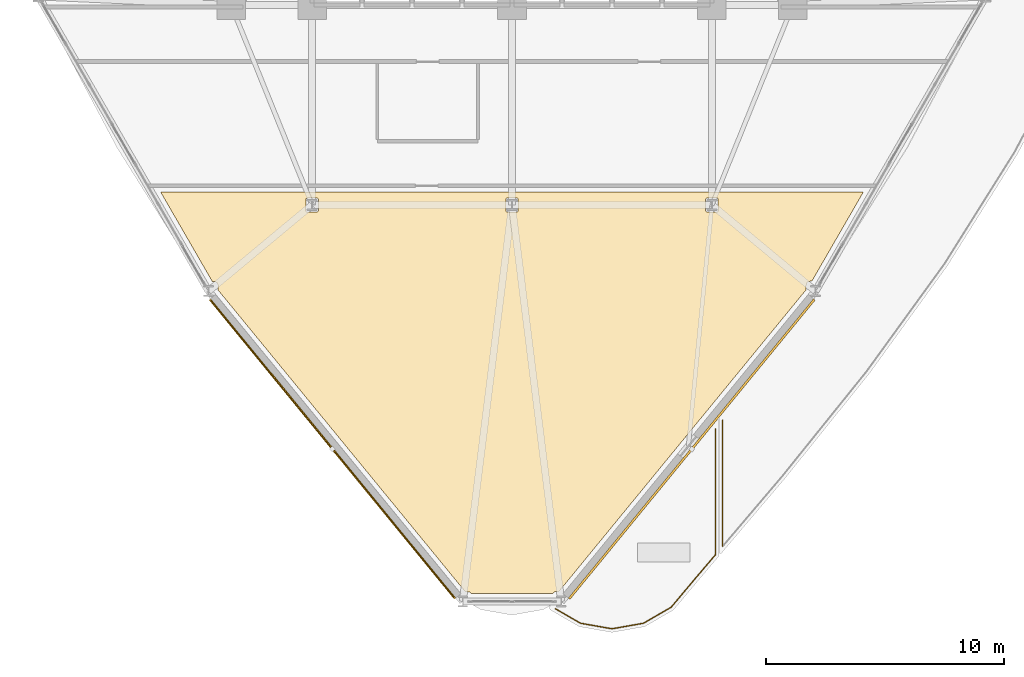
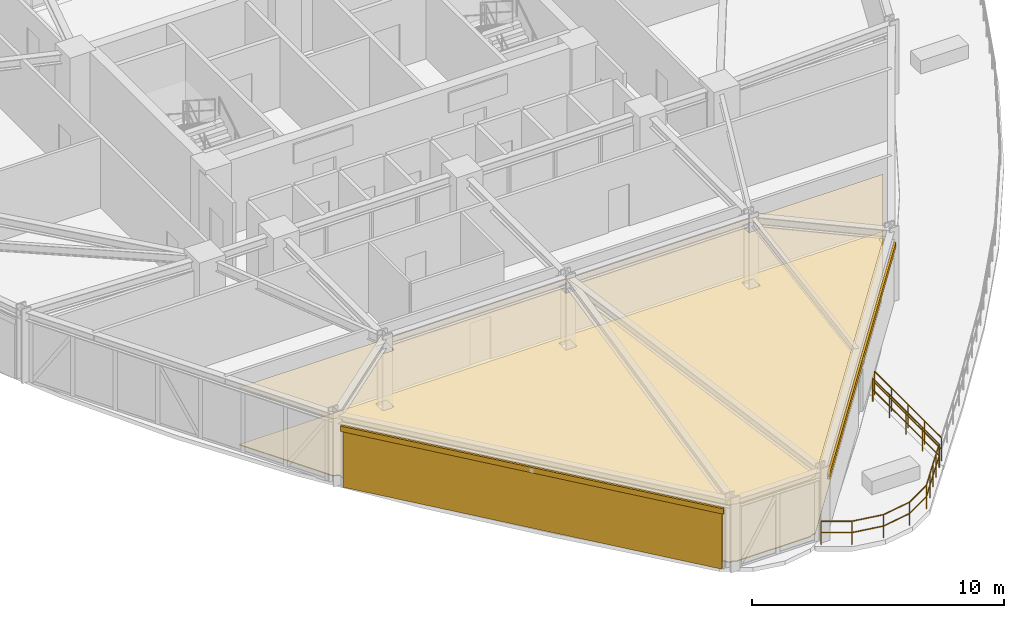
# One storey, part 21 of 23: 3 coverings, 2 railings, 2 shading devices.
"""IFC4 building model written with IfcOpenShell, lengths in metres."""

from ifc_helpers import new_model, si_unit, derived_unit, direction, frame, origin, origin_2d, place, context, subcontext, project, spatial, polyline, hollow_rectangle, circle, outline, extrude, source, transform, mapped, material, layer, layer_set, material_profile, profile_set, type_object, element, save


model = new_model("IFC4")

# Units and contexts
model_context = context("Model", 3, precision=1e-05, world=origin(), true_north=direction((0.0, 1.0)))
body_context = subcontext(model_context, "Body", "Model", "MODEL_VIEW")
ifc_project = project(units=[si_unit("LENGTHUNIT", "METRE"), si_unit("AREAUNIT", "SQUARE_METRE"), si_unit("VOLUMEUNIT", "CUBIC_METRE"), si_unit("PLANEANGLEUNIT", "RADIAN"), si_unit("MASSUNIT", "GRAM", prefix="KILO"), derived_unit("THERMALTRANSMITTANCEUNIT", [(si_unit("POWERUNIT", "WATT"), 1), (si_unit("LENGTHUNIT", "METRE"), -2), (si_unit("THERMODYNAMICTEMPERATUREUNIT", "KELVIN"), -1)])], contexts=[model_context])

# Site, building, storey
site_placement = place(None, origin())
site = spatial("IfcSite", under=ifc_project, at=site_placement, CompositionType="ELEMENT")
building_placement = place(site_placement, origin())
building = spatial("IfcBuilding", under=site, at=building_placement, Name="Korsvarv Bourse and Concert Hall", CompositionType="ELEMENT")
storey_placement = place(building_placement, frame((0.0, 0.0, 99.0)))
storey = spatial("IfcBuildingStorey", under=building, at=storey_placement, Name="L24", CompositionType="ELEMENT", Elevation=99.0)

# Coverings
ifc_material_1 = material(Name="Perforated mineral-wool and birch acoustic baffle ceiling", Category="wood")
ifc_layer_1 = layer(ifc_material_1, 0.02490234375)
ifc_layer_set_1 = layer_set([ifc_layer_1], Name="Perforated mineral-wool and birch acoustic baffle ceiling")
covering_type_1 = type_object("IfcCoveringType", Name="COV-CEIL-1", PredefinedType="CEILING", material=ifc_layer_set_1)
covering_1_placement = place(storey_placement, frame((0.0, 0.0, 2.780029296875)))
element("IfcCovering", 1, at=covering_1_placement, inside=storey, type_object=covering_type_1, Name="L24 acoustic baffle ceiling 1", PredefinedType="CEILING", context=body_context, shape_type="SweptSolid", body=[
    extrude(outline(polyline([(23.647705078125, 20.610107421875), (23.644287109375, 20.646240234375), (23.63330078125, 20.680908203125), (23.61572265625, 20.712646484375), (23.59228515625, 20.740234375), (23.563720703125, 20.762451171875), (23.53125, 20.778564453125), (23.496337890625, 20.787841796875), (23.40380859375, 20.794189453125), (21.2353515625, 24.550048828125), (50.7646484375, 24.550048828125), (48.599609375, 20.80029296875), (48.542236328125, 20.80029296875), (48.508056640625, 20.796875), (48.47509765625, 20.787109375), (48.4443359375, 20.771240234375), (48.41748046875, 20.75), (48.39501953125, 20.723876953125), (48.3779296875, 20.694091796875), (48.366943359375, 20.661376953125), (48.3623046875, 20.627197265625), (48.354736328125, 20.435302734375), (37.970947265625, 7.76123046875), (37.859375, 7.76123046875), (37.824951171875, 7.758056640625), (37.7919921875, 7.748046875), (37.76123046875, 7.732177734375), (37.734130859375, 7.710693359375), (37.7119140625, 7.684326171875), (34.291015625, 7.683837890625), (34.2685546875, 7.707275390625), (34.24072265625, 7.72705078125), (34.209716796875, 7.741455078125), (34.17626953125, 7.74951171875), (34.032470703125, 7.757080078125), (23.647705078125, 20.43212890625), (23.647705078125, 20.610107421875)]), holes=[polyline([(27.37353515625, 23.715087890625), (27.81201171875, 23.712890625), (27.835693359375, 23.718994140625), (27.853515625, 23.735107421875), (27.86181640625, 23.758056640625), (27.862060546875, 24.237060546875), (27.856201171875, 24.260498046875), (27.83984375, 24.278564453125), (27.81689453125, 24.286865234375), (27.387939453125, 24.287109375), (27.364501953125, 24.281005859375), (27.346435546875, 24.264892578125), (27.338134765625, 24.241943359375), (27.337890625, 23.762939453125), (27.343994140625, 23.739501953125), (27.37353515625, 23.715087890625)]), polyline([(35.7783203125, 23.714111328125), (36.2119140625, 23.712890625), (36.235595703125, 23.718994140625), (36.253662109375, 23.735107421875), (36.26171875, 23.758056640625), (36.261962890625, 24.237060546875), (36.256103515625, 24.260498046875), (36.23974609375, 24.278564453125), (36.216796875, 24.286865234375), (35.7880859375, 24.287109375), (35.764404296875, 24.281005859375), (35.746337890625, 24.264892578125), (35.73828125, 24.241943359375), (35.738037109375, 23.762939453125), (35.743896484375, 23.739501953125), (35.7783203125, 23.714111328125)]), polyline([(44.173583984375, 23.715087890625), (44.612060546875, 23.712890625), (44.635498046875, 23.718994140625), (44.653564453125, 23.735107421875), (44.661865234375, 23.758056640625), (44.662109375, 24.237060546875), (44.656005859375, 24.260498046875), (44.639892578125, 24.278564453125), (44.616943359375, 24.286865234375), (44.18798828125, 24.287109375), (44.164306640625, 24.281005859375), (44.146484375, 24.264892578125), (44.13818359375, 24.241943359375), (44.137939453125, 23.762939453125), (44.143798828125, 23.739501953125), (44.173583984375, 23.715087890625)])]), origin(), (0.0, 0.0, 1.0), 0.02490234375),
])
ifc_material_2 = material(Name="Warm iron-oxide extruded terracotta rainscreen tile", Category="ceramic")
ifc_layer_2 = layer(ifc_material_2, 0.044921875)
ifc_layer_set_2 = layer_set([ifc_layer_2], Name="Warm iron-oxide extruded terracotta rainscreen tile")
covering_type_2 = type_object("IfcCoveringType", Name="COV-CLD-TC", PredefinedType="CLADDING", material=ifc_layer_set_2)
covering_2_placement = place(storey_placement, origin())
element("IfcCovering", 2, at=covering_2_placement, inside=storey, type_object=covering_type_2, Name="L24 fluted terracotta cladding panel EW-L24-B08", PredefinedType="CLADDING", context=body_context, shape_type="SweptSolid", body=[
    extrude(outline(polyline([(23.385498046875, 20.002685546875), (33.5859375, 7.552490234375), (33.55126953125, 7.524169921875), (23.350830078125, 19.97412109375), (23.385498046875, 20.002685546875)])), origin(), (0.0, 0.0, 1.0), 2.679931640625),
])
ifc_material_3 = material(Name="Calcium-sulphate raised access trading floor with Nordic oak top", Category="wood")
ifc_layer_3 = layer(ifc_material_3, 0.0400390625)
ifc_layer_set_3 = layer_set([ifc_layer_3], Name="Calcium-sulphate raised access trading floor with Nordic oak top")
covering_type_3 = type_object("IfcCoveringType", Name="COV-FLOR-1", PredefinedType="FLOORING", material=ifc_layer_set_3)
covering_3_placement = place(storey_placement, origin())
element("IfcCovering", 3, at=covering_3_placement, inside=storey, type_object=covering_type_3, Name="L24 raised access oak floor finish 1", PredefinedType="FLOORING", context=body_context, shape_type="SweptSolid", body=[
    extrude(outline(polyline([(23.647705078125, 20.610107421875), (23.644287109375, 20.646240234375), (23.63330078125, 20.680908203125), (23.61572265625, 20.712646484375), (23.59228515625, 20.740234375), (23.563720703125, 20.762451171875), (23.53125, 20.778564453125), (23.496337890625, 20.787841796875), (23.40380859375, 20.794189453125), (21.2353515625, 24.550048828125), (50.7646484375, 24.550048828125), (48.599609375, 20.80029296875), (48.542236328125, 20.80029296875), (48.508056640625, 20.796875), (48.47509765625, 20.787109375), (48.4443359375, 20.771240234375), (48.41748046875, 20.75), (48.39501953125, 20.723876953125), (48.3779296875, 20.694091796875), (48.366943359375, 20.661376953125), (48.3623046875, 20.627197265625), (48.354736328125, 20.435302734375), (37.970947265625, 7.76123046875), (37.859375, 7.76123046875), (37.824951171875, 7.758056640625), (37.7919921875, 7.748046875), (37.76123046875, 7.732177734375), (37.734130859375, 7.710693359375), (37.7119140625, 7.684326171875), (34.291015625, 7.683837890625), (34.2685546875, 7.707275390625), (34.24072265625, 7.72705078125), (34.209716796875, 7.741455078125), (34.17626953125, 7.74951171875), (34.032470703125, 7.757080078125), (23.647705078125, 20.43212890625), (23.647705078125, 20.610107421875)]), holes=[polyline([(27.37353515625, 23.715087890625), (27.81201171875, 23.712890625), (27.835693359375, 23.718994140625), (27.853515625, 23.735107421875), (27.86181640625, 23.758056640625), (27.862060546875, 24.237060546875), (27.856201171875, 24.260498046875), (27.83984375, 24.278564453125), (27.81689453125, 24.286865234375), (27.387939453125, 24.287109375), (27.364501953125, 24.281005859375), (27.346435546875, 24.264892578125), (27.338134765625, 24.241943359375), (27.337890625, 23.762939453125), (27.343994140625, 23.739501953125), (27.37353515625, 23.715087890625)]), polyline([(35.7783203125, 23.714111328125), (36.2119140625, 23.712890625), (36.235595703125, 23.718994140625), (36.253662109375, 23.735107421875), (36.26171875, 23.758056640625), (36.261962890625, 24.237060546875), (36.256103515625, 24.260498046875), (36.23974609375, 24.278564453125), (36.216796875, 24.286865234375), (35.7880859375, 24.287109375), (35.764404296875, 24.281005859375), (35.746337890625, 24.264892578125), (35.73828125, 24.241943359375), (35.738037109375, 23.762939453125), (35.743896484375, 23.739501953125), (35.7783203125, 23.714111328125)]), polyline([(44.173583984375, 23.715087890625), (44.612060546875, 23.712890625), (44.635498046875, 23.718994140625), (44.653564453125, 23.735107421875), (44.661865234375, 23.758056640625), (44.662109375, 24.237060546875), (44.656005859375, 24.260498046875), (44.639892578125, 24.278564453125), (44.616943359375, 24.286865234375), (44.18798828125, 24.287109375), (44.164306640625, 24.281005859375), (44.146484375, 24.264892578125), (44.13818359375, 24.241943359375), (44.137939453125, 23.762939453125), (44.143798828125, 23.739501953125), (44.173583984375, 23.715087890625)])]), origin(), (0.0, 0.0, 1.0), 0.0400390625),
])

# Railings
ifc_material_4 = material(Name="Laminated safety glass and stainless Steel S355 balustrade", Category="steel")
railing_type = type_object("IfcRailingType", Name="RL-BAL-EXT", PredefinedType="BALUSTRADE", material=ifc_material_4)
railing_1_placement = place(storey_placement, frame((44.85009765625, 9.662109375, 0.0)))
element("IfcRailing", 4, at=railing_1_placement, inside=storey, type_object=railing_type, Name="L24 terrace perimeter balustrade SKYG1-1", PredefinedType="BALUSTRADE", context=body_context, shape_type="SweptSolid", body=[
    extrude(circle(Radius=0.02392578125, at=origin_2d()), frame((0.0, 0.0, 1.1259765625), z_axis=(0.0, 1.0, 0.0), x_axis=(-1.0, 0.0, 0.0)), (0.0, 0.0, 1.0), 5.3037109375),
    extrude(circle(Radius=0.02392578125, at=origin_2d()), frame((0.0, 0.0, 0.574951171875), z_axis=(0.0, 1.0, 0.0), x_axis=(-1.0, 0.0, 0.0)), (0.0, 0.0, 1.0), 5.3037109375),
    extrude(circle(Radius=0.02099609375, at=origin_2d()), origin(), (0.0, 0.0, 1.0), 1.101806640625),
    extrude(circle(Radius=0.02099609375, at=origin_2d()), frame((0.0, 1.325927734375, 0.0)), (0.0, 0.0, 1.0), 1.101806640625),
    extrude(circle(Radius=0.02099609375, at=origin_2d()), frame((0.0, 2.65185546875, 0.0)), (0.0, 0.0, 1.0), 1.101806640625),
    extrude(circle(Radius=0.02099609375, at=origin_2d()), frame((0.0, 3.977783203125, 0.0)), (0.0, 0.0, 1.0), 1.101806640625),
    extrude(circle(Radius=0.02099609375, at=origin_2d()), frame((0.0, 5.3037109375, 0.0)), (0.0, 0.0, 1.0), 1.101806640625),
])
railing_2_placement = place(storey_placement, frame((44.550048828125, 14.59228515625, 0.0)))
element("IfcRailing", 5, at=railing_2_placement, inside=storey, type_object=railing_type, Name="L24 terrace perimeter balustrade SKYG2-1", PredefinedType="BALUSTRADE", context=body_context, shape_type="SweptSolid", body=[
    extrude(circle(Radius=0.02392578125, at=origin_2d()), frame((0.0, 0.0, 1.1259765625), z_axis=(0.0, -1.0, 0.0), x_axis=(1.0, 0.0, 0.0)), (0.0, 0.0, 1.0), 5.283203125),
    extrude(circle(Radius=0.02392578125, at=origin_2d()), frame((0.0, 0.0, 0.574951171875), z_axis=(0.0, -1.0, 0.0), x_axis=(1.0, 0.0, 0.0)), (0.0, 0.0, 1.0), 5.283203125),
    extrude(circle(Radius=0.02392578125, at=origin_2d()), frame((0.0, -5.283203125, 1.1259765625), z_axis=(-0.647664139122, -0.761925956308, 0.0), x_axis=(0.761925956308, -0.647664139122, 0.0)), (0.0, 0.0, 1.0), 1.3525390625),
    extrude(circle(Radius=0.02392578125, at=origin_2d()), frame((0.0, -5.283203125, 0.574951171875), z_axis=(-0.647664139122, -0.761925956308, 0.0), x_axis=(0.761925956308, -0.647664139122, 0.0)), (0.0, 0.0, 1.0), 1.3525390625),
    extrude(circle(Radius=0.02392578125, at=origin_2d()), frame((-0.8759765625, -6.313720703125, 1.1259765625), z_axis=(-0.642804697736, -0.766030104219, 0.0), x_axis=(0.766030104219, -0.642804697736, 0.0)), (0.0, 0.0, 1.0), 1.537353515625),
    extrude(circle(Radius=0.02392578125, at=origin_2d()), frame((-0.8759765625, -6.313720703125, 0.574951171875), z_axis=(-0.642804697736, -0.766030104219, 0.0), x_axis=(0.766030104219, -0.642804697736, 0.0)), (0.0, 0.0, 1.0), 1.537353515625),
    extrude(circle(Radius=0.02392578125, at=origin_2d()), frame((-1.8642578125, -7.491455078125, 1.1259765625), z_axis=(-0.865985784051, -0.500068617113, 0.0), x_axis=(0.500068617113, -0.865985784051, 0.0)), (0.0, 0.0, 1.0), 1.343017578125),
    extrude(circle(Radius=0.02392578125, at=origin_2d()), frame((-1.8642578125, -7.491455078125, 0.574951171875), z_axis=(-0.865985784051, -0.500068617113, 0.0), x_axis=(0.500068617113, -0.865985784051, 0.0)), (0.0, 0.0, 1.0), 1.343017578125),
    extrude(circle(Radius=0.02392578125, at=origin_2d()), frame((-3.02734375, -8.1630859375, 1.1259765625), z_axis=(-0.98481830679, -0.173588313581, 0.0), x_axis=(0.173588313581, -0.98481830679, 0.0)), (0.0, 0.0, 1.0), 1.34326171875),
    extrude(circle(Radius=0.02392578125, at=origin_2d()), frame((-3.02734375, -8.1630859375, 0.574951171875), z_axis=(-0.98481830679, -0.173588313581, 0.0), x_axis=(0.173588313581, -0.98481830679, 0.0)), (0.0, 0.0, 1.0), 1.34326171875),
    extrude(circle(Radius=0.02392578125, at=origin_2d()), frame((-4.35009765625, -8.396240234375, 1.1259765625), z_axis=(-0.98481830679, 0.173588313581, 0.0), x_axis=(-0.173588313581, -0.98481830679, 0.0)), (0.0, 0.0, 1.0), 1.34326171875),
    extrude(circle(Radius=0.02392578125, at=origin_2d()), frame((-4.35009765625, -8.396240234375, 0.574951171875), z_axis=(-0.98481830679, 0.173588313581, 0.0), x_axis=(-0.173588313581, -0.98481830679, 0.0)), (0.0, 0.0, 1.0), 1.34326171875),
    extrude(circle(Radius=0.02392578125, at=origin_2d()), frame((-5.6728515625, -8.1630859375, 1.1259765625), z_axis=(-0.866009263231, 0.500027955217, 0.0), x_axis=(-0.500027955217, -0.866009263231, 0.0)), (0.0, 0.0, 1.0), 1.22216796875),
    extrude(circle(Radius=0.02392578125, at=origin_2d()), frame((-5.6728515625, -8.1630859375, 0.574951171875), z_axis=(-0.866009263231, 0.500027955217, 0.0), x_axis=(-0.500027955217, -0.866009263231, 0.0)), (0.0, 0.0, 1.0), 1.22216796875),
    extrude(circle(Radius=0.02099609375, at=origin_2d()), origin(), (0.0, 0.0, 1.0), 1.101806640625),
    extrude(circle(Radius=0.02099609375, at=origin_2d()), frame((0.0, -1.32080078125, 0.0)), (0.0, 0.0, 1.0), 1.101806640625),
    extrude(circle(Radius=0.02099609375, at=origin_2d()), frame((0.0, -2.6416015625, 0.0)), (0.0, 0.0, 1.0), 1.101806640625),
    extrude(circle(Radius=0.02099609375, at=origin_2d()), frame((0.0, -3.96240234375, 0.0)), (0.0, 0.0, 1.0), 1.101806640625),
    extrude(circle(Radius=0.02099609375, at=origin_2d()), frame((0.0, -5.283203125, 0.0)), (0.0, 0.0, 1.0), 1.101806640625),
    extrude(circle(Radius=0.02099609375, at=origin_2d()), frame((-0.43798828125, -5.79833984375, 0.0)), (0.0, 0.0, 1.0), 1.101806640625),
    extrude(circle(Radius=0.02099609375, at=origin_2d()), frame((-0.8759765625, -6.313720703125, 0.0)), (0.0, 0.0, 1.0), 1.101806640625),
    extrude(circle(Radius=0.02099609375, at=origin_2d()), frame((-1.3701171875, -6.902587890625, 0.0)), (0.0, 0.0, 1.0), 1.101806640625),
    extrude(circle(Radius=0.02099609375, at=origin_2d()), frame((-1.8642578125, -7.491455078125, 0.0)), (0.0, 0.0, 1.0), 1.101806640625),
    extrude(circle(Radius=0.02099609375, at=origin_2d()), frame((-3.02734375, -8.1630859375, 0.0)), (0.0, 0.0, 1.0), 1.101806640625),
    extrude(circle(Radius=0.02099609375, at=origin_2d()), frame((-4.35009765625, -8.396240234375, 0.0)), (0.0, 0.0, 1.0), 1.101806640625),
    extrude(circle(Radius=0.02099609375, at=origin_2d()), frame((-5.6728515625, -8.1630859375, 0.0)), (0.0, 0.0, 1.0), 1.101806640625),
    extrude(circle(Radius=0.02099609375, at=origin_2d()), frame((-6.731201171875, -7.552001953125, 0.0)), (0.0, 0.0, 1.0), 1.101806640625),
])

# Shading devices
ifc_material_5 = material(Name="Glazed extruded architectural terracotta", Category="ceramic")
ifc_material_profile = material_profile(ifc_material_5, hollow_rectangle(XDim=0.090087890625, YDim=0.260009765625, WallThickness=0.011962890625, at=origin_2d()), Name="TC-BAG 90x260")
ifc_profile_set = profile_set([ifc_material_profile], Name="Glazed extruded architectural terracotta")
shading_device_type = type_object("IfcShadingDeviceType", Name="SHD-BAG-1", PredefinedType="USERDEFINED", material=ifc_profile_set)
shared_shape = source(origin(), body_context, "Body", "SweptSolid", [
    extrude(hollow_rectangle(XDim=0.090087890625, YDim=0.260009765625, WallThickness=0.011962890625, at=origin_2d()), origin(), (0.0, 0.0, 1.0), 16.255126953125),
])
for number, where, z_axis, x_axis, name in (
    (6, (23.303955078125, 20.039306640625, 2.840087890625), (0.633752096714, -0.773536217582, 0.0), (0.773536217582, 0.633752096714, 0.0), "L24 terracotta baguette sunshade EW-L24-B08"),
    (7, (38.402099609375, 7.458984375, 2.840087890625), (0.633752096714, 0.773536217582, 0.0), (-0.773536217582, 0.633752096714, 0.0), "L24 terracotta baguette sunshade EW-L24-B10"),
):
    element("IfcShadingDevice", number, at=place(storey_placement, frame(where, z_axis=z_axis, x_axis=x_axis)), inside=storey, type_object=shading_device_type, Name=name, ObjectType="BAGUETTE", PredefinedType="USERDEFINED", context=body_context, shape_type="MappedRepresentation", body=[
        mapped(shared_shape, transform((0.0, 0.0, 0.0), scale=1.0)),
    ])

save(model, "model.ifc")
